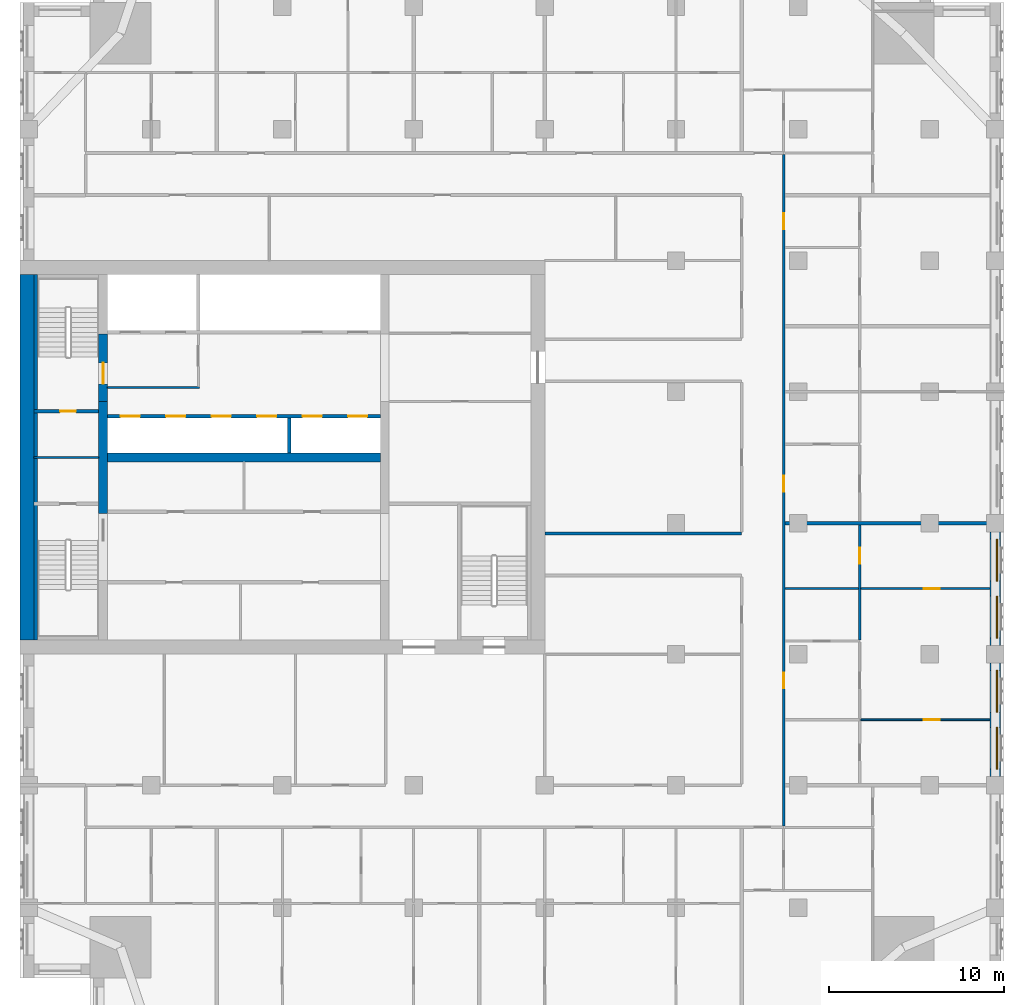
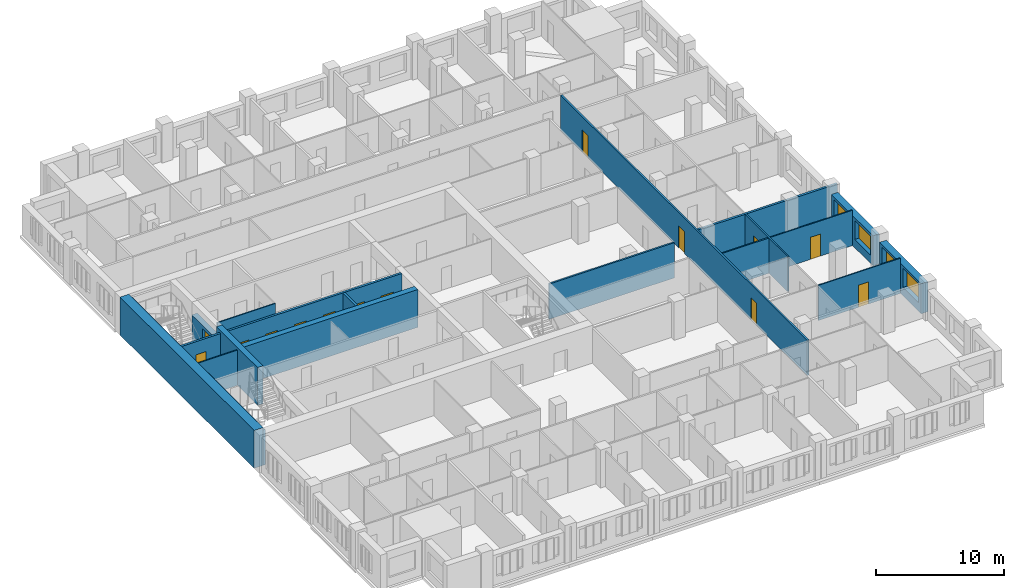
# One storey, part 7 of 13: 19 walls, 14 doors, 4 windows, 18 openings.
"""IFC4 building model written with IfcOpenShell, lengths in metres."""

from ifc_helpers import new_model, si_unit, direction, frame, frame_2d, origin, place, context, subcontext, project, spatial, rectangle, extrude, material, layer, layer_set, type_object, element, fill, save


model = new_model("IFC4")

# Units and contexts
model_context = context("Model", 3, precision=1e-05, world=origin(), true_north=direction((0.0, 1.0)))
body_context = subcontext(model_context, "Body", "Model", "MODEL_VIEW")
ifc_project = project(units=[si_unit("LENGTHUNIT", "METRE"), si_unit("AREAUNIT", "SQUARE_METRE"), si_unit("VOLUMEUNIT", "CUBIC_METRE"), si_unit("PLANEANGLEUNIT", "RADIAN"), si_unit("MASSUNIT", "GRAM", prefix="KILO")], contexts=[model_context])

# Site, building, storey
site_placement = place(None, origin())
site = spatial("IfcSite", under=ifc_project, at=site_placement, CompositionType="ELEMENT")
building_placement = place(site_placement, origin())
building = spatial("IfcBuilding", under=site, at=building_placement, Name="Tamorin Gate", CompositionType="ELEMENT")
storey_placement = place(building_placement, frame((0.0, 0.0, 144.60009765625)))
storey = spatial("IfcBuildingStorey", under=building, at=storey_placement, Name="L35", CompositionType="ELEMENT", Elevation=144.60009765625)

# Wall, openings, windows
ifc_material_1 = material(Name="Precast concrete C40/50", Category="concrete")
ifc_layer_1 = layer(ifc_material_1, 0.60009765625)
ifc_layer_set_1 = layer_set([ifc_layer_1], Name="Precast concrete C40/50")
wall_type_1 = type_object("IfcWallType", Name="Board-marked concrete facade panel 600", PredefinedType="SOLIDWALL", material=ifc_layer_set_1)
wall_1_placement = place(storey_placement, frame((85.75, 53.0, 0.0), z_axis=(0.0, 0.0, 1.0), x_axis=(0.0, 1.0, 0.0)))
wall_1 = element("IfcWall", 1, at=wall_1_placement, inside=storey, type_object=wall_type_1, Name="Facade panel", PredefinedType="SOLIDWALL", context=body_context, shape_type="SweptSolid", body=[
    extrude(rectangle(XDim=6.5, YDim=0.60009765625, at=frame_2d((3.25, 0.0))), origin(), (0.0, 0.0, 1.0), 2.849853515625),
])
opening_1_placement = place(wall_1_placement, frame((0.425048828125, 0.0, 0.800048828125)))
opening_1 = element("IfcOpeningElement", 2, at=opening_1_placement, cuts=wall_1, Name="Opening WN1", PredefinedType="OPENING", context=body_context, shape_type="SweptSolid", body=[
    extrude(rectangle(XDim=2.39990234375, YDim=1.800048828125, at=frame_2d((1.199951171875, 0.89990234375))), frame((0.0, 0.31005859375, 0.0), z_axis=(0.0, -1.0, 0.0), x_axis=(1.0, 0.0, 0.0)), (0.0, 0.0, 1.0), 0.6201171875),
])
opening_2_placement = place(wall_1_placement, frame((3.675048828125, 0.0, 0.800048828125)))
opening_2 = element("IfcOpeningElement", 3, at=opening_2_placement, cuts=wall_1, Name="Opening WN1", PredefinedType="OPENING", context=body_context, shape_type="SweptSolid", body=[
    extrude(rectangle(XDim=2.39990234375, YDim=1.800048828125, at=frame_2d((1.199951171875, 0.89990234375))), frame((0.0, 0.31005859375, 0.0), z_axis=(0.0, -1.0, 0.0), x_axis=(1.0, 0.0, 0.0)), (0.0, 0.0, 1.0), 0.6201171875),
])
ifc_material_2 = material(Name="Clear glass in aluminium frame", Category="aluminium")
window_type = type_object("IfcWindowType", Name="Deep-set window 2400x1800", PartitioningType="SINGLE_PANEL", PredefinedType="WINDOW", material=ifc_material_2)
window_1_placement = place(opening_1_placement, origin())
window_1 = element("IfcWindow", 4, at=window_1_placement, inside=storey, type_object=window_type, Name="Deep-set window", OverallHeight=1.800048828125, OverallWidth=2.39990234375, PartitioningType="SINGLE_PANEL", PredefinedType="WINDOW", context=body_context, shape_type="SweptSolid", body=[
    extrude(rectangle(XDim=2.39990234375, YDim=1.800048828125, at=frame_2d((1.199951171875, 0.89990234375))), frame((0.0, -0.070068359375, 0.0), z_axis=(0.0, -1.0, 0.0), x_axis=(1.0, 0.0, 0.0)), (0.0, 0.0, 1.0), 0.06005859375),
])
fill(opening_1, window_1)
window_2_placement = place(opening_2_placement, origin())
window_2 = element("IfcWindow", 5, at=window_2_placement, inside=storey, type_object=window_type, Name="Deep-set window", OverallHeight=1.800048828125, OverallWidth=2.39990234375, PartitioningType="SINGLE_PANEL", PredefinedType="WINDOW", context=body_context, shape_type="SweptSolid", body=[
    extrude(rectangle(XDim=2.39990234375, YDim=1.800048828125, at=frame_2d((1.199951171875, 0.89990234375))), frame((0.0, -0.070068359375, 0.0), z_axis=(0.0, -1.0, 0.0), x_axis=(1.0, 0.0, 0.0)), (0.0, 0.0, 1.0), 0.06005859375),
])
fill(opening_2, window_2)

wall_2_placement = place(storey_placement, frame((85.75, 60.5, 0.0), z_axis=(0.0, 0.0, 1.0), x_axis=(0.0, 1.0, 0.0)))
wall_2 = element("IfcWall", 6, at=wall_2_placement, inside=storey, type_object=wall_type_1, Name="Facade panel", PredefinedType="SOLIDWALL", context=body_context, shape_type="SweptSolid", body=[
    extrude(rectangle(XDim=6.5, YDim=0.60009765625, at=frame_2d((3.25, 0.0))), origin(), (0.0, 0.0, 1.0), 2.849853515625),
])
opening_3_placement = place(wall_2_placement, frame((0.425048828125, 0.0, 0.800048828125)))
opening_3 = element("IfcOpeningElement", 7, at=opening_3_placement, cuts=wall_2, Name="Opening WN1", PredefinedType="OPENING", context=body_context, shape_type="SweptSolid", body=[
    extrude(rectangle(XDim=2.39990234375, YDim=1.800048828125, at=frame_2d((1.199951171875, 0.89990234375))), frame((0.0, 0.31005859375, 0.0), z_axis=(0.0, -1.0, 0.0), x_axis=(1.0, 0.0, 0.0)), (0.0, 0.0, 1.0), 0.6201171875),
])
opening_4_placement = place(wall_2_placement, frame((3.675048828125, 0.0, 0.800048828125)))
opening_4 = element("IfcOpeningElement", 8, at=opening_4_placement, cuts=wall_2, Name="Opening WN1", PredefinedType="OPENING", context=body_context, shape_type="SweptSolid", body=[
    extrude(rectangle(XDim=2.39990234375, YDim=1.800048828125, at=frame_2d((1.199951171875, 0.89990234375))), frame((0.0, 0.31005859375, 0.0), z_axis=(0.0, -1.0, 0.0), x_axis=(1.0, 0.0, 0.0)), (0.0, 0.0, 1.0), 0.6201171875),
])
window_3_placement = place(opening_3_placement, origin())
window_3 = element("IfcWindow", 9, at=window_3_placement, inside=storey, type_object=window_type, Name="Deep-set window", OverallHeight=1.800048828125, OverallWidth=2.39990234375, PartitioningType="SINGLE_PANEL", PredefinedType="WINDOW", context=body_context, shape_type="SweptSolid", body=[
    extrude(rectangle(XDim=2.39990234375, YDim=1.800048828125, at=frame_2d((1.199951171875, 0.89990234375))), frame((0.0, -0.070068359375, 0.0), z_axis=(0.0, -1.0, 0.0), x_axis=(1.0, 0.0, 0.0)), (0.0, 0.0, 1.0), 0.06005859375),
])
fill(opening_3, window_3)
window_4_placement = place(opening_4_placement, origin())
window_4 = element("IfcWindow", 10, at=window_4_placement, inside=storey, type_object=window_type, Name="Deep-set window", OverallHeight=1.800048828125, OverallWidth=2.39990234375, PartitioningType="SINGLE_PANEL", PredefinedType="WINDOW", context=body_context, shape_type="SweptSolid", body=[
    extrude(rectangle(XDim=2.39990234375, YDim=1.800048828125, at=frame_2d((1.199951171875, 0.89990234375))), frame((0.0, -0.070068359375, 0.0), z_axis=(0.0, -1.0, 0.0), x_axis=(1.0, 0.0, 0.0)), (0.0, 0.0, 1.0), 0.06005859375),
])
fill(opening_4, window_4)

# Wall, openings, doors
ifc_material_3 = material(Name="Gypsum board partition")
ifc_layer_2 = layer(ifc_material_3, 0.14990234375)
ifc_layer_set_2 = layer_set([ifc_layer_2], Name="Corridor wall 150")
wall_type_2 = type_object("IfcWallType", Name="Corridor wall 150", PredefinedType="PARTITIONING", material=ifc_layer_set_2)
wall_3_placement = place(storey_placement, frame((73.64990234375, 50.175048828125, 0.0), z_axis=(0.0, 0.0, 1.0), x_axis=(0.0, 1.0, 0.0)))
wall_3 = element("IfcWall", 11, at=wall_3_placement, inside=storey, type_object=wall_type_2, Name="Corridor wall 150", PredefinedType="PARTITIONING", context=body_context, shape_type="SweptSolid", body=[
    extrude(rectangle(XDim=38.39990234375, YDim=0.14990234375, at=frame_2d((19.199951171875, 0.0))), origin(), (0.0, 0.0, 1.0), 3.349853515625),
])
opening_5_placement = place(wall_3_placement, frame((7.875, 0.0, 0.0)))
opening_5 = element("IfcOpeningElement", 12, at=opening_5_placement, cuts=wall_3, Name="Opening DS1037", PredefinedType="OPENING", context=body_context, shape_type="SweptSolid", body=[
    extrude(rectangle(XDim=0.89990234375, YDim=2.10009765625, at=frame_2d((0.449951171875, 1.050048828125))), frame((0.0, 0.0849609375, 0.0), z_axis=(0.0, -1.0, 0.0), x_axis=(1.0, 0.0, 0.0)), (0.0, 0.0, 1.0), 0.169921875),
])
opening_6_placement = place(wall_3_placement, frame((19.125, 0.0, 0.0)))
opening_6 = element("IfcOpeningElement", 13, at=opening_6_placement, cuts=wall_3, Name="Opening DS1043", PredefinedType="OPENING", context=body_context, shape_type="SweptSolid", body=[
    extrude(rectangle(XDim=0.89990234375, YDim=2.10009765625, at=frame_2d((0.449951171875, 1.050048828125))), frame((0.0, 0.0849609375, 0.0), z_axis=(0.0, -1.0, 0.0), x_axis=(1.0, 0.0, 0.0)), (0.0, 0.0, 1.0), 0.169921875),
])
opening_7_placement = place(wall_3_placement, frame((34.125, 0.0, 0.0)))
opening_7 = element("IfcOpeningElement", 14, at=opening_7_placement, cuts=wall_3, Name="Opening DS1049", PredefinedType="OPENING", context=body_context, shape_type="SweptSolid", body=[
    extrude(rectangle(XDim=0.89990234375, YDim=2.10009765625, at=frame_2d((0.449951171875, 1.050048828125))), frame((0.0, 0.0849609375, 0.0), z_axis=(0.0, -1.0, 0.0), x_axis=(1.0, 0.0, 0.0)), (0.0, 0.0, 1.0), 0.169921875),
])
ifc_material_4 = material(Name="Timber door leaf", Category="wood")
door_type_1 = type_object("IfcDoorType", Name="Door 900 x 2100 FD30S", OperationType="NOTDEFINED", PredefinedType="DOOR", material=ifc_material_4)
door_1_placement = place(opening_5_placement, origin())
door_1 = element("IfcDoor", 15, at=door_1_placement, inside=storey, type_object=door_type_1, Name="Door DS1037", OperationType="SINGLE_SWING_RIGHT", OverallHeight=2.10009765625, OverallWidth=0.89990234375, PredefinedType="DOOR", context=body_context, shape_type="SweptSolid", body=[
    extrude(rectangle(XDim=0.89990234375, YDim=2.10009765625, at=frame_2d((0.449951171875, 1.050048828125))), frame((0.0, 0.02490234375, 0.0), z_axis=(0.0, -1.0, 0.0), x_axis=(1.0, 0.0, 0.0)), (0.0, 0.0, 1.0), 0.050048828125),
])
fill(opening_5, door_1)
door_2_placement = place(opening_6_placement, origin())
door_2 = element("IfcDoor", 16, at=door_2_placement, inside=storey, type_object=door_type_1, Name="Door DS1043", OperationType="SINGLE_SWING_RIGHT", OverallHeight=2.10009765625, OverallWidth=0.89990234375, PredefinedType="DOOR", context=body_context, shape_type="SweptSolid", body=[
    extrude(rectangle(XDim=0.89990234375, YDim=2.10009765625, at=frame_2d((0.449951171875, 1.050048828125))), frame((0.0, 0.02490234375, 0.0), z_axis=(0.0, -1.0, 0.0), x_axis=(1.0, 0.0, 0.0)), (0.0, 0.0, 1.0), 0.050048828125),
])
fill(opening_6, door_2)
door_3_placement = place(opening_7_placement, origin())
door_3 = element("IfcDoor", 17, at=door_3_placement, inside=storey, type_object=door_type_1, Name="Door DS1049", OperationType="SINGLE_SWING_RIGHT", OverallHeight=2.10009765625, OverallWidth=0.89990234375, PredefinedType="DOOR", context=body_context, shape_type="SweptSolid", body=[
    extrude(rectangle(XDim=0.89990234375, YDim=2.10009765625, at=frame_2d((0.449951171875, 1.050048828125))), frame((0.0, 0.02490234375, 0.0), z_axis=(0.0, -1.0, 0.0), x_axis=(1.0, 0.0, 0.0)), (0.0, 0.0, 1.0), 0.050048828125),
])
fill(opening_7, door_3)

# Wall
ifc_layer_3 = layer(ifc_material_3, 0.199951171875)
ifc_layer_set_3 = layer_set([ifc_layer_3], Name="Demising wall 200")
wall_type_3 = type_object("IfcWallType", Name="Demising wall 200", PredefinedType="PARTITIONING", material=ifc_layer_set_3)
wall_4_placement = place(storey_placement, frame((73.72509765625, 67.5, 0.0), z_axis=(0.0, 0.0, 1.0), x_axis=(1.0, 0.0, 0.0)))
element("IfcWall", 18, at=wall_4_placement, inside=storey, type_object=wall_type_3, Name="Demising wall 200", PredefinedType="PARTITIONING", context=body_context, shape_type="SweptSolid", body=[
    extrude(rectangle(XDim=12.52490234375, YDim=0.199951171875, at=frame_2d((6.262451171875, 0.0))), origin(), (0.0, 0.0, 1.0), 3.349853515625),
])

# Wall, openings, doors
ifc_material_5 = material(Name="Concrete C32/40", Category="concrete")
ifc_layer_4 = layer(ifc_material_5, 0.199951171875)
ifc_layer_set_4 = layer_set([ifc_layer_4], Name="Lift lobby face wall 200 EI 120")
wall_type_4 = type_object("IfcWallType", Name="Lift lobby face wall 200 EI 120", PredefinedType="SOLIDWALL", material=ifc_layer_set_4)
wall_5_placement = place(storey_placement, frame((35.0, 73.60009765625, 0.0), z_axis=(0.0, 0.0, 1.0), x_axis=(1.0, 0.0, 0.0)))
wall_5 = element("IfcWall", 19, at=wall_5_placement, inside=storey, type_object=wall_type_4, Name="Lift lobby face wall", PredefinedType="SOLIDWALL", context=body_context, shape_type="SweptSolid", body=[
    extrude(rectangle(XDim=15.60009765625, YDim=0.199951171875, at=frame_2d((7.800048828125, 0.0))), origin(), (0.0, 0.0, 1.0), 3.599853515625),
])
opening_8_placement = place(wall_5_placement, frame((0.75, 0.0, 0.0)))
opening_8 = element("IfcOpeningElement", 20, at=opening_8_placement, cuts=wall_5, Name="Opening LD11", PredefinedType="OPENING", context=body_context, shape_type="SweptSolid", body=[
    extrude(rectangle(XDim=1.10009765625, YDim=2.10009765625, at=frame_2d((0.550048828125, 1.050048828125))), frame((0.0, 0.10986328125, 0.0), z_axis=(0.0, -1.0, 0.0), x_axis=(1.0, 0.0, 0.0)), (0.0, 0.0, 1.0), 0.219970703125),
])
opening_9_placement = place(wall_5_placement, frame((3.35009765625, 0.0, 0.0)))
opening_9 = element("IfcOpeningElement", 21, at=opening_9_placement, cuts=wall_5, Name="Opening LD12", PredefinedType="OPENING", context=body_context, shape_type="SweptSolid", body=[
    extrude(rectangle(XDim=1.10009765625, YDim=2.10009765625, at=frame_2d((0.550048828125, 1.050048828125))), frame((0.0, 0.10986328125, 0.0), z_axis=(0.0, -1.0, 0.0), x_axis=(1.0, 0.0, 0.0)), (0.0, 0.0, 1.0), 0.219970703125),
])
opening_10_placement = place(wall_5_placement, frame((5.949951171875, 0.0, 0.0)))
opening_10 = element("IfcOpeningElement", 22, at=opening_10_placement, cuts=wall_5, Name="Opening LD13", PredefinedType="OPENING", context=body_context, shape_type="SweptSolid", body=[
    extrude(rectangle(XDim=1.10009765625, YDim=2.10009765625, at=frame_2d((0.550048828125, 1.050048828125))), frame((0.0, 0.10986328125, 0.0), z_axis=(0.0, -1.0, 0.0), x_axis=(1.0, 0.0, 0.0)), (0.0, 0.0, 1.0), 0.219970703125),
])
opening_11_placement = place(wall_5_placement, frame((8.550048828125, 0.0, 0.0)))
opening_11 = element("IfcOpeningElement", 23, at=opening_11_placement, cuts=wall_5, Name="Opening LD14", PredefinedType="OPENING", context=body_context, shape_type="SweptSolid", body=[
    extrude(rectangle(XDim=1.10009765625, YDim=2.10009765625, at=frame_2d((0.550048828125, 1.050048828125))), frame((0.0, 0.10986328125, 0.0), z_axis=(0.0, -1.0, 0.0), x_axis=(1.0, 0.0, 0.0)), (0.0, 0.0, 1.0), 0.219970703125),
])
opening_12_placement = place(wall_5_placement, frame((11.14990234375, 0.0, 0.0)))
opening_12 = element("IfcOpeningElement", 24, at=opening_12_placement, cuts=wall_5, Name="Opening LD15", PredefinedType="OPENING", context=body_context, shape_type="SweptSolid", body=[
    extrude(rectangle(XDim=1.10009765625, YDim=2.10009765625, at=frame_2d((0.550048828125, 1.050048828125))), frame((0.0, 0.10986328125, 0.0), z_axis=(0.0, -1.0, 0.0), x_axis=(1.0, 0.0, 0.0)), (0.0, 0.0, 1.0), 0.219970703125),
])
opening_13_placement = place(wall_5_placement, frame((13.75, 0.0, 0.0)))
opening_13 = element("IfcOpeningElement", 25, at=opening_13_placement, cuts=wall_5, Name="Opening LD16", PredefinedType="OPENING", context=body_context, shape_type="SweptSolid", body=[
    extrude(rectangle(XDim=1.10009765625, YDim=2.10009765625, at=frame_2d((0.550048828125, 1.050048828125))), frame((0.0, 0.10986328125, 0.0), z_axis=(0.0, -1.0, 0.0), x_axis=(1.0, 0.0, 0.0)), (0.0, 0.0, 1.0), 0.219970703125),
])
ifc_material_6 = material(Name="Stainless steel sliding door", Category="steel")
door_type_2 = type_object("IfcDoorType", Name="Lift landing door 1100 x 2100 E 90", OperationType="DOUBLE_DOOR_SLIDING", PredefinedType="DOOR", material=ifc_material_6)
door_4_placement = place(opening_8_placement, origin())
door_4 = element("IfcDoor", 26, at=door_4_placement, inside=storey, type_object=door_type_2, Name="HR1 landing door", OperationType="DOUBLE_DOOR_SLIDING", OverallHeight=2.10009765625, OverallWidth=1.10009765625, PredefinedType="DOOR", context=body_context, shape_type="SweptSolid", body=[
    extrude(rectangle(XDim=1.10009765625, YDim=2.10009765625, at=frame_2d((0.550048828125, 1.050048828125))), frame((0.0, 0.02490234375, 0.0), z_axis=(0.0, -1.0, 0.0), x_axis=(1.0, 0.0, 0.0)), (0.0, 0.0, 1.0), 0.050048828125),
])
fill(opening_8, door_4)
door_5_placement = place(opening_9_placement, origin())
door_5 = element("IfcDoor", 27, at=door_5_placement, inside=storey, type_object=door_type_2, Name="HR2 landing door", OperationType="DOUBLE_DOOR_SLIDING", OverallHeight=2.10009765625, OverallWidth=1.10009765625, PredefinedType="DOOR", context=body_context, shape_type="SweptSolid", body=[
    extrude(rectangle(XDim=1.10009765625, YDim=2.10009765625, at=frame_2d((0.550048828125, 1.050048828125))), frame((0.0, 0.02490234375, 0.0), z_axis=(0.0, -1.0, 0.0), x_axis=(1.0, 0.0, 0.0)), (0.0, 0.0, 1.0), 0.050048828125),
])
fill(opening_9, door_5)
door_6_placement = place(opening_10_placement, origin())
door_6 = element("IfcDoor", 28, at=door_6_placement, inside=storey, type_object=door_type_2, Name="HR3 landing door", OperationType="DOUBLE_DOOR_SLIDING", OverallHeight=2.10009765625, OverallWidth=1.10009765625, PredefinedType="DOOR", context=body_context, shape_type="SweptSolid", body=[
    extrude(rectangle(XDim=1.10009765625, YDim=2.10009765625, at=frame_2d((0.550048828125, 1.050048828125))), frame((0.0, 0.02490234375, 0.0), z_axis=(0.0, -1.0, 0.0), x_axis=(1.0, 0.0, 0.0)), (0.0, 0.0, 1.0), 0.050048828125),
])
fill(opening_10, door_6)
door_7_placement = place(opening_11_placement, origin())
door_7 = element("IfcDoor", 29, at=door_7_placement, inside=storey, type_object=door_type_2, Name="HR4 landing door", OperationType="DOUBLE_DOOR_SLIDING", OverallHeight=2.10009765625, OverallWidth=1.10009765625, PredefinedType="DOOR", context=body_context, shape_type="SweptSolid", body=[
    extrude(rectangle(XDim=1.10009765625, YDim=2.10009765625, at=frame_2d((0.550048828125, 1.050048828125))), frame((0.0, 0.02490234375, 0.0), z_axis=(0.0, -1.0, 0.0), x_axis=(1.0, 0.0, 0.0)), (0.0, 0.0, 1.0), 0.050048828125),
])
fill(opening_11, door_7)
door_8_placement = place(opening_12_placement, origin())
door_8 = element("IfcDoor", 30, at=door_8_placement, inside=storey, type_object=door_type_2, Name="HR5 landing door", OperationType="DOUBLE_DOOR_SLIDING", OverallHeight=2.10009765625, OverallWidth=1.10009765625, PredefinedType="DOOR", context=body_context, shape_type="SweptSolid", body=[
    extrude(rectangle(XDim=1.10009765625, YDim=2.10009765625, at=frame_2d((0.550048828125, 1.050048828125))), frame((0.0, 0.02490234375, 0.0), z_axis=(0.0, -1.0, 0.0), x_axis=(1.0, 0.0, 0.0)), (0.0, 0.0, 1.0), 0.050048828125),
])
fill(opening_12, door_8)
door_9_placement = place(opening_13_placement, origin())
door_9 = element("IfcDoor", 31, at=door_9_placement, inside=storey, type_object=door_type_2, Name="HR6 landing door", OperationType="DOUBLE_DOOR_SLIDING", OverallHeight=2.10009765625, OverallWidth=1.10009765625, PredefinedType="DOOR", context=body_context, shape_type="SweptSolid", body=[
    extrude(rectangle(XDim=1.10009765625, YDim=2.10009765625, at=frame_2d((0.550048828125, 1.050048828125))), frame((0.0, 0.02490234375, 0.0), z_axis=(0.0, -1.0, 0.0), x_axis=(1.0, 0.0, 0.0)), (0.0, 0.0, 1.0), 0.050048828125),
])
fill(opening_13, door_9)

# Walls
ifc_layer_5 = layer(ifc_material_5, 0.199951171875)
ifc_layer_set_5 = layer_set([ifc_layer_5], Name="Lift shaft wall 200 EI 120")
wall_type_5 = type_object("IfcWallType", Name="Lift shaft wall 200 EI 120", PredefinedType="SOLIDWALL", material=ifc_layer_set_5)
wall_6_placement = place(storey_placement, frame((45.39990234375, 71.5, 0.0), z_axis=(0.0, 0.0, 1.0), x_axis=(0.0, 1.0, 0.0)))
element("IfcWall", 32, at=wall_6_placement, inside=storey, type_object=wall_type_5, Name="Lift shaft wall", PredefinedType="SOLIDWALL", context=body_context, shape_type="SweptSolid", body=[
    extrude(rectangle(XDim=2.0, YDim=0.199951171875, at=frame_2d((1.0, 0.0))), origin(), (0.0, 0.0, 1.0), 3.599853515625),
])
ifc_material_7 = material(Name="Fire-rated gypsum board partition")
ifc_layer_6 = layer(ifc_material_7, 0.10009765625)
ifc_layer_set_6 = layer_set([ifc_layer_6], Name="Lobby wall 100 EI 60")
wall_type_6 = type_object("IfcWallType", Name="Lobby wall 100 EI 60", PredefinedType="PARTITIONING", material=ifc_layer_set_6)
wall_7_placement = place(storey_placement, frame((35.0, 75.25, 0.0), z_axis=(0.0, 0.0, 1.0), x_axis=(1.0, 0.0, 0.0)))
element("IfcWall", 33, at=wall_7_placement, inside=storey, type_object=wall_type_6, Name="Firefighting lobby wall", PredefinedType="PARTITIONING", context=body_context, shape_type="SweptSolid", body=[
    extrude(rectangle(XDim=5.25, YDim=0.10009765625, at=frame_2d((2.625, 0.0))), origin(), (0.0, 0.0, 1.0), 3.349853515625),
])
ifc_layer_7 = layer(ifc_material_3, 0.14990234375)
ifc_layer_set_7 = layer_set([ifc_layer_7], Name="Lobby wall 150")
wall_type_7 = type_object("IfcWallType", Name="Lobby wall 150", PredefinedType="PARTITIONING", material=ifc_layer_set_7)
wall_8_placement = place(storey_placement, frame((60.0, 66.89990234375, 0.0), z_axis=(0.0, 0.0, 1.0), x_axis=(1.0, 0.0, 0.0)))
element("IfcWall", 34, at=wall_8_placement, inside=storey, type_object=wall_type_7, Name="Lobby wall 150", PredefinedType="PARTITIONING", context=body_context, shape_type="SweptSolid", body=[
    extrude(rectangle(XDim=11.25, YDim=0.14990234375, at=frame_2d((5.625, 0.0))), origin(), (0.0, 0.0, 1.0), 3.349853515625),
])
ifc_material_8 = material(Name="Concrete C60/75", Category="concrete")
ifc_layer_8 = layer(ifc_material_8, 0.5)
ifc_layer_set_8 = layer_set([ifc_layer_8], Name="RC core internal wall 500 C60/75")
wall_type_8 = type_object("IfcWallType", Name="RC core internal wall 500 C60/75", PredefinedType="SHEAR", material=ifc_layer_set_8)
wall_9_placement = place(storey_placement, frame((35.0, 71.25, 0.0), z_axis=(0.0, 0.0, 1.0), x_axis=(1.0, 0.0, 0.0)))
element("IfcWall", 35, at=wall_9_placement, inside=storey, type_object=wall_type_8, Name="Core spine wall L35", PredefinedType="SHEAR", context=body_context, shape_type="SweptSolid", body=[
    extrude(rectangle(XDim=15.60009765625, YDim=0.5, at=frame_2d((7.800048828125, 0.0))), origin(), (0.0, 0.0, 1.0), 3.599853515625),
])
wall_10_placement = place(storey_placement, frame((34.75, 68.050048828125, 0.0), z_axis=(0.0, 0.0, 1.0), x_axis=(0.0, 1.0, 0.0)))
element("IfcWall", 36, at=wall_10_placement, inside=storey, type_object=wall_type_8, Name="Core cross wall L35", PredefinedType="SHEAR", context=body_context, shape_type="SweptSolid", body=[
    extrude(rectangle(XDim=6.39990234375, YDim=0.5, at=frame_2d((3.199951171875, 0.0))), origin(), (0.0, 0.0, 1.0), 3.599853515625),
])
ifc_layer_9 = layer(ifc_material_8, 0.800048828125)
ifc_layer_set_9 = layer_set([ifc_layer_9], Name="RC core wall 800 C60/75")
wall_type_9 = type_object("IfcWallType", Name="RC core wall 800 C60/75", PredefinedType="SHEAR", material=ifc_layer_set_9)
wall_11_placement = place(storey_placement, frame((30.39990234375, 60.800048828125, 0.0), z_axis=(0.0, 0.0, 1.0), x_axis=(0.0, 1.0, 0.0)))
element("IfcWall", 37, at=wall_11_placement, inside=storey, type_object=wall_type_9, Name="Core wall L35", PredefinedType="SHEAR", context=body_context, shape_type="SweptSolid", body=[
    extrude(rectangle(XDim=20.89990234375, YDim=0.800048828125, at=frame_2d((10.449951171875, 0.0))), origin(), (0.0, 0.0, 1.0), 3.599853515625),
])
ifc_layer_10 = layer(ifc_material_7, 0.10009765625)
ifc_layer_set_10 = layer_set([ifc_layer_10], Name="Riser partition 100 EI 120")
wall_type_10 = type_object("IfcWallType", Name="Riser partition 100 EI 120", PredefinedType="PARTITIONING", material=ifc_layer_set_10)
wall_12_placement = place(storey_placement, frame((30.800048828125, 71.25, 0.0), z_axis=(0.0, 0.0, 1.0), x_axis=(1.0, 0.0, 0.0)))
element("IfcWall", 38, at=wall_12_placement, inside=storey, type_object=wall_type_10, Name="Riser partition", PredefinedType="PARTITIONING", context=body_context, shape_type="SweptSolid", body=[
    extrude(rectangle(XDim=3.699951171875, YDim=0.10009765625, at=frame_2d((1.85009765625, 0.0))), origin(), (0.0, 0.0, 1.0), 3.349853515625),
])

# Wall, opening, door
ifc_layer_11 = layer(ifc_material_3, 0.10009765625)
ifc_layer_set_11 = layer_set([ifc_layer_11], Name="Room partition 100")
wall_type_11 = type_object("IfcWallType", Name="Room partition 100", PredefinedType="PARTITIONING", material=ifc_layer_set_11)
wall_13_placement = place(storey_placement, frame((78.0625, 56.25, 0.0), z_axis=(0.0, 0.0, 1.0), x_axis=(1.0, 0.0, 0.0)))
wall_13 = element("IfcWall", 39, at=wall_13_placement, inside=storey, type_object=wall_type_11, Name="Room partition 100", PredefinedType="PARTITIONING", context=body_context, shape_type="SweptSolid", body=[
    extrude(rectangle(XDim=7.37744140625, YDim=0.10009765625, at=frame_2d((3.688720703125, 0.0))), origin(), (0.0, 0.0, 1.0), 3.349853515625),
])
opening_14_placement = place(wall_13_placement, frame((3.612548828125, 0.0, 0.0)))
opening_14 = element("IfcOpeningElement", 40, at=opening_14_placement, cuts=wall_13, Name="Opening DS1041", PredefinedType="OPENING", context=body_context, shape_type="SweptSolid", body=[
    extrude(rectangle(XDim=0.89990234375, YDim=2.10009765625, at=frame_2d((0.449951171875, 1.050048828125))), frame((0.0, 0.06005859375, 0.0), z_axis=(0.0, -1.0, 0.0), x_axis=(1.0, 0.0, 0.0)), (0.0, 0.0, 1.0), 0.1201171875),
])
door_type_3 = type_object("IfcDoorType", Name="Door 900 x 2100", OperationType="NOTDEFINED", PredefinedType="DOOR", material=ifc_material_4)
door_10_placement = place(opening_14_placement, origin())
door_10 = element("IfcDoor", 41, at=door_10_placement, inside=storey, type_object=door_type_3, Name="Door DS1041", OperationType="SINGLE_SWING_RIGHT", OverallHeight=2.10009765625, OverallWidth=0.89990234375, PredefinedType="DOOR", context=body_context, shape_type="SweptSolid", body=[
    extrude(rectangle(XDim=0.89990234375, YDim=2.10009765625, at=frame_2d((0.449951171875, 1.050048828125))), frame((0.0, 0.02490234375, 0.0), z_axis=(0.0, -1.0, 0.0), x_axis=(1.0, 0.0, 0.0)), (0.0, 0.0, 1.0), 0.050048828125),
])
fill(opening_14, door_10)

wall_14_placement = place(storey_placement, frame((78.0625, 63.75, 0.0), z_axis=(0.0, 0.0, 1.0), x_axis=(1.0, 0.0, 0.0)))
wall_14 = element("IfcWall", 42, at=wall_14_placement, inside=storey, type_object=wall_type_11, Name="Room partition 100", PredefinedType="PARTITIONING", context=body_context, shape_type="SweptSolid", body=[
    extrude(rectangle(XDim=7.37744140625, YDim=0.10009765625, at=frame_2d((3.688720703125, 0.0))), origin(), (0.0, 0.0, 1.0), 3.349853515625),
])
opening_15_placement = place(wall_14_placement, frame((3.612548828125, 0.0, 0.0)))
opening_15 = element("IfcOpeningElement", 43, at=opening_15_placement, cuts=wall_14, Name="Opening DS1042", PredefinedType="OPENING", context=body_context, shape_type="SweptSolid", body=[
    extrude(rectangle(XDim=0.89990234375, YDim=2.10009765625, at=frame_2d((0.449951171875, 1.050048828125))), frame((0.0, 0.06005859375, 0.0), z_axis=(0.0, -1.0, 0.0), x_axis=(1.0, 0.0, 0.0)), (0.0, 0.0, 1.0), 0.1201171875),
])
door_11_placement = place(opening_15_placement, origin())
door_11 = element("IfcDoor", 44, at=door_11_placement, inside=storey, type_object=door_type_3, Name="Door DS1042", OperationType="SINGLE_SWING_RIGHT", OverallHeight=2.10009765625, OverallWidth=0.89990234375, PredefinedType="DOOR", context=body_context, shape_type="SweptSolid", body=[
    extrude(rectangle(XDim=0.89990234375, YDim=2.10009765625, at=frame_2d((0.449951171875, 1.050048828125))), frame((0.0, 0.02490234375, 0.0), z_axis=(0.0, -1.0, 0.0), x_axis=(1.0, 0.0, 0.0)), (0.0, 0.0, 1.0), 0.050048828125),
])
fill(opening_15, door_11)

ifc_material_9 = material(Name="Concrete C40/50", Category="concrete")
ifc_layer_12 = layer(ifc_material_9, 0.199951171875)
ifc_layer_set_12 = layer_set([ifc_layer_12], Name="Stair enclosure wall 200 EI 120 C40/50")
wall_type_12 = type_object("IfcWallType", Name="Stair enclosure wall 200 EI 120 C40/50", PredefinedType="SOLIDWALL", material=ifc_layer_set_12)
wall_15_placement = place(storey_placement, frame((30.800048828125, 73.89990234375, 0.0), z_axis=(0.0, 0.0, 1.0), x_axis=(1.0, 0.0, 0.0)))
wall_15 = element("IfcWall", 45, at=wall_15_placement, inside=storey, type_object=wall_type_12, Name="Stair enclosure wall", PredefinedType="SOLIDWALL", context=body_context, shape_type="SweptSolid", body=[
    extrude(rectangle(XDim=3.699951171875, YDim=0.199951171875, at=frame_2d((1.85009765625, 0.0))), origin(), (0.0, 0.0, 1.0), 3.349853515625),
])
opening_16_placement = place(wall_15_placement, frame((1.5, 0.0, 0.0)))
opening_16 = element("IfcOpeningElement", 46, at=opening_16_placement, cuts=wall_15, Name="Opening DR1", PredefinedType="OPENING", context=body_context, shape_type="SweptSolid", body=[
    extrude(rectangle(XDim=0.89990234375, YDim=2.10009765625, at=frame_2d((0.449951171875, 1.050048828125))), frame((0.0, 0.10986328125, 0.0), z_axis=(0.0, -1.0, 0.0), x_axis=(1.0, 0.0, 0.0)), (0.0, 0.0, 1.0), 0.219970703125),
])
ifc_material_10 = material(Name="Steel fire door", Category="steel")
door_type_4 = type_object("IfcDoorType", Name="Riser access door 900 x 2100 EI 120", OperationType="SINGLE_SWING_LEFT", PredefinedType="DOOR", material=ifc_material_10)
door_12_placement = place(opening_16_placement, origin())
door_12 = element("IfcDoor", 47, at=door_12_placement, inside=storey, type_object=door_type_4, Name="Communications riser door", OperationType="SINGLE_SWING_RIGHT", OverallHeight=2.10009765625, OverallWidth=0.89990234375, PredefinedType="DOOR", context=body_context, shape_type="SweptSolid", body=[
    extrude(rectangle(XDim=0.89990234375, YDim=2.10009765625, at=frame_2d((0.449951171875, 1.050048828125))), frame((0.0, 0.02490234375, 0.0), z_axis=(0.0, -1.0, 0.0), x_axis=(1.0, 0.0, 0.0)), (0.0, 0.0, 1.0), 0.050048828125),
])
fill(opening_16, door_12)

# Wall
ifc_layer_13 = layer(ifc_material_8, 0.199951171875)
ifc_layer_set_13 = layer_set([ifc_layer_13], Name="Stair lining wall 200 EI 120 C60/75")
wall_type_13 = type_object("IfcWallType", Name="Stair lining wall 200 EI 120 C60/75", PredefinedType="SOLIDWALL", material=ifc_layer_set_13)
wall_16_placement = place(storey_placement, frame((30.89990234375, 60.800048828125, 0.0), z_axis=(0.0, 0.0, 1.0), x_axis=(0.0, 1.0, 0.0)))
element("IfcWall", 48, at=wall_16_placement, inside=storey, type_object=wall_type_13, Name="Stair lining wall", PredefinedType="SOLIDWALL", context=body_context, shape_type="SweptSolid", body=[
    extrude(rectangle(XDim=20.89990234375, YDim=0.199951171875, at=frame_2d((10.449951171875, 0.0))), origin(), (0.0, 0.0, 1.0), 3.349853515625),
])

# Wall, opening, door
ifc_layer_14 = layer(ifc_material_5, 0.5)
ifc_layer_set_14 = layer_set([ifc_layer_14], Name="Stair lobby infill wall 500 EI 120")
wall_type_14 = type_object("IfcWallType", Name="Stair lobby infill wall 500 EI 120", PredefinedType="SOLIDWALL", material=ifc_layer_set_14)
wall_17_placement = place(storey_placement, frame((34.75, 74.449951171875, 0.0), z_axis=(0.0, 0.0, 1.0), x_axis=(0.0, 1.0, 0.0)))
wall_17 = element("IfcWall", 49, at=wall_17_placement, inside=storey, type_object=wall_type_14, Name="Stair lobby infill wall", PredefinedType="SOLIDWALL", context=body_context, shape_type="SweptSolid", body=[
    extrude(rectangle(XDim=3.85009765625, YDim=0.5, at=frame_2d((1.925048828125, 0.0))), origin(), (0.0, 0.0, 1.0), 2.39990234375),
])
opening_17_placement = place(wall_17_placement, frame((1.0, 0.0, 0.0)))
opening_17 = element("IfcOpeningElement", 50, at=opening_17_placement, cuts=wall_17, Name="Opening DS1", PredefinedType="OPENING", context=body_context, shape_type="SweptSolid", body=[
    extrude(rectangle(XDim=1.199951171875, YDim=2.10009765625, at=frame_2d((0.60009765625, 1.050048828125))), frame((0.0, 0.260009765625, 0.0), z_axis=(0.0, -1.0, 0.0), x_axis=(1.0, 0.0, 0.0)), (0.0, 0.0, 1.0), 0.52001953125),
])
door_type_5 = type_object("IfcDoorType", Name="Stair door 1200 x 2100 EI 90", OperationType="SINGLE_SWING_LEFT", PredefinedType="DOOR", material=ifc_material_10)
door_13_placement = place(opening_17_placement, origin())
door_13 = element("IfcDoor", 51, at=door_13_placement, inside=storey, type_object=door_type_5, Name="ST2 door", OperationType="SINGLE_SWING_RIGHT", OverallHeight=2.10009765625, OverallWidth=1.199951171875, PredefinedType="DOOR", context=body_context, shape_type="SweptSolid", body=[
    extrude(rectangle(XDim=1.199951171875, YDim=2.10009765625, at=frame_2d((0.60009765625, 1.050048828125))), frame((0.0, 0.02490234375, 0.0), z_axis=(0.0, -1.0, 0.0), x_axis=(1.0, 0.0, 0.0)), (0.0, 0.0, 1.0), 0.050048828125),
])
fill(opening_17, door_13)

# Wall
ifc_layer_15 = layer(ifc_material_3, 0.125)
ifc_layer_set_15 = layer_set([ifc_layer_15], Name="Wet wall 125")
wall_type_15 = type_object("IfcWallType", Name="Wet wall 125", PredefinedType="PARTITIONING", material=ifc_layer_set_15)
wall_18_placement = place(storey_placement, frame((73.72509765625, 63.75, 0.0), z_axis=(0.0, 0.0, 1.0), x_axis=(1.0, 0.0, 0.0)))
element("IfcWall", 52, at=wall_18_placement, inside=storey, type_object=wall_type_15, Name="Wet wall 125", PredefinedType="PARTITIONING", context=body_context, shape_type="SweptSolid", body=[
    extrude(rectangle(XDim=4.21240234375, YDim=0.125, at=frame_2d((2.106201171875, 0.0))), origin(), (0.0, 0.0, 1.0), 3.349853515625),
])

# Wall, opening, door
wall_19_placement = place(storey_placement, frame((78.0, 60.8125, 0.0), z_axis=(0.0, 0.0, 1.0), x_axis=(0.0, 1.0, 0.0)))
wall_19 = element("IfcWall", 53, at=wall_19_placement, inside=storey, type_object=wall_type_15, Name="Wet wall 125", PredefinedType="PARTITIONING", context=body_context, shape_type="SweptSolid", body=[
    extrude(rectangle(XDim=6.58740234375, YDim=0.125, at=frame_2d((3.293701171875, 0.0))), origin(), (0.0, 0.0, 1.0), 3.349853515625),
])
opening_18_placement = place(wall_19_placement, frame((4.362548828125, 0.0, 0.0)))
opening_18 = element("IfcOpeningElement", 54, at=opening_18_placement, cuts=wall_19, Name="Opening DS1040", PredefinedType="OPENING", context=body_context, shape_type="SweptSolid", body=[
    extrude(rectangle(XDim=0.89990234375, YDim=2.10009765625, at=frame_2d((0.449951171875, 1.050048828125))), frame((0.0, 0.072509765625, 0.0), z_axis=(0.0, -1.0, 0.0), x_axis=(1.0, 0.0, 0.0)), (0.0, 0.0, 1.0), 0.14501953125),
])
door_14_placement = place(opening_18_placement, origin())
door_14 = element("IfcDoor", 55, at=door_14_placement, inside=storey, type_object=door_type_3, Name="Door DS1040", OperationType="SINGLE_SWING_LEFT", OverallHeight=2.10009765625, OverallWidth=0.89990234375, PredefinedType="DOOR", context=body_context, shape_type="SweptSolid", body=[
    extrude(rectangle(XDim=0.89990234375, YDim=2.10009765625, at=frame_2d((0.449951171875, 1.050048828125))), frame((0.0, 0.02490234375, 0.0), z_axis=(0.0, -1.0, 0.0), x_axis=(1.0, 0.0, 0.0)), (0.0, 0.0, 1.0), 0.050048828125),
])
fill(opening_18, door_14)

save(model, "model.ifc")
